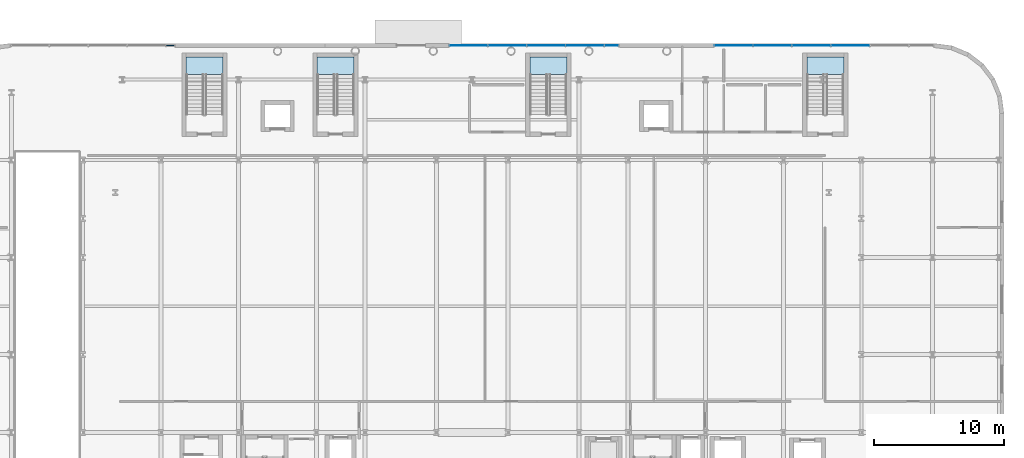
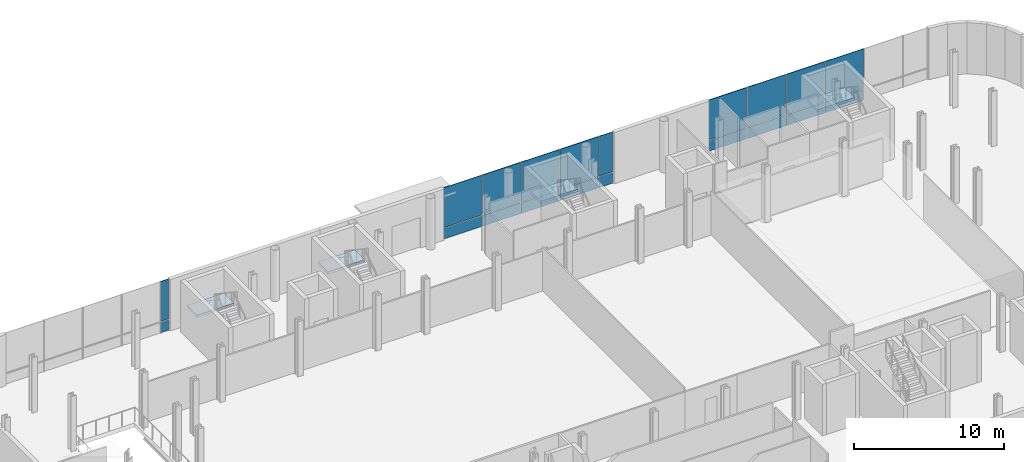
# One storey, part 15 of 28: 20 plates, 4 slabs, 7 elements without a shape of their own.
"""IFC4 building model written with IfcOpenShell, lengths in metres."""

from ifc_helpers import new_model, si_unit, direction, frame, origin, origin_2d, place, context, subcontext, project, spatial, polyline, rectangle, outline, extrude, material, layer, layer_set, type_object, element, aggregate, save


model = new_model("IFC4")

# Units and contexts
model_context = context("Model", 3, precision=1e-05, world=origin(), true_north=direction((0.0, 1.0)))
body_context = subcontext(model_context, "Body", "Model", "MODEL_VIEW")
ifc_project = project(units=[si_unit("LENGTHUNIT", "METRE"), si_unit("AREAUNIT", "SQUARE_METRE"), si_unit("VOLUMEUNIT", "CUBIC_METRE"), si_unit("PLANEANGLEUNIT", "RADIAN"), si_unit("MASSUNIT", "GRAM", prefix="KILO")], contexts=[model_context])

# Site, building, storey
site_placement = place(None, origin())
site = spatial("IfcSite", under=ifc_project, at=site_placement, CompositionType="ELEMENT")
building_placement = place(site_placement, origin())
building = spatial("IfcBuilding", under=site, at=building_placement, Name="Brevholm Reach", CompositionType="ELEMENT")
storey_placement = place(building_placement, origin())
storey = spatial("IfcBuildingStorey", under=building, at=storey_placement, Name="L00", CompositionType="ELEMENT", Elevation=0.0)

# Curtain wall, plates
ifc_material_1 = material(Name="Dark Anodised Aluminium 6063-T6 and Solar-Control Glass", Category="aluminium")
ifc_layer_1 = layer(ifc_material_1, 0.1650390625)
ifc_layer_set_1 = layer_set([ifc_layer_1], Name="Dark Anodised Aluminium 6063-T6 and Solar-Control Glass")
curtain_wall_type = type_object("IfcCurtainWallType", Name="CW-03", PredefinedType="NOTDEFINED", material=ifc_layer_set_1)
curtain_wall_1_placement = place(storey_placement, origin())
curtain_wall_1 = element("IfcCurtainWall", 1, at=curtain_wall_1_placement, inside=storey, type_object=curtain_wall_type, Name="L00 Curtain Wall CW-03", PredefinedType="NOTDEFINED")
ifc_material_2 = material(Name="Triple-Glazed Acoustic School IGU Glass", Category="glass")
ifc_layer_2 = layer(ifc_material_2, 0.0439453125)
ifc_layer_set_2 = layer_set([ifc_layer_2], Name="Triple-Glazed Acoustic School IGU Glass")
plate_type = type_object("IfcPlateType", Name="CWP-ACU-44", PredefinedType="CURTAIN_PANEL", material=ifc_layer_set_2)
plate_1_placement = place(storey_placement, frame((6.732421875, 39.830078125, 0.0), z_axis=(0.0, 0.0, 1.0), x_axis=(1.0, 0.0, 0.0)))
plate_1 = element("IfcPlate", 2, at=plate_1_placement, type_object=plate_type, Name="CP-03 Glazing Panel 5.1", PredefinedType="CURTAIN_PANEL", context=body_context, shape_type="SweptSolid", body=[
    extrude(rectangle(XDim=0.594970703125, YDim=0.0439453125, at=origin_2d()), origin(), (0.0, 0.0, 1.0), 0.864990234375),
])
plate_2_placement = place(storey_placement, frame((6.732421875, 39.830078125, 0.93505859375), z_axis=(0.0, 0.0, 1.0), x_axis=(1.0, 0.0, 0.0)))
plate_2 = element("IfcPlate", 3, at=plate_2_placement, type_object=plate_type, Name="CP-03 Glazing Panel 5.2", PredefinedType="CURTAIN_PANEL", context=body_context, shape_type="SweptSolid", body=[
    extrude(rectangle(XDim=0.594970703125, YDim=0.0439453125, at=origin_2d()), origin(), (0.0, 0.0, 1.0), 3.2451171875),
])
aggregate(curtain_wall_1, [plate_1, plate_2])

curtain_wall_2_placement = place(storey_placement, origin())
curtain_wall_2 = element("IfcCurtainWall", 4, at=curtain_wall_2_placement, inside=storey, type_object=curtain_wall_type, Name="L00 Curtain Wall CW-03", PredefinedType="NOTDEFINED")
plate_3_placement = place(storey_placement, frame((29.717529296875, 39.830078125, 0.0), z_axis=(0.0, 0.0, 1.0), x_axis=(1.0, 0.0, 0.0)))
plate_3 = element("IfcPlate", 5, at=plate_3_placement, type_object=plate_type, Name="CP-03 Glazing Panel 1.1", PredefinedType="CURTAIN_PANEL", context=body_context, shape_type="SweptSolid", body=[
    extrude(rectangle(XDim=2.89501953125, YDim=0.0439453125, at=origin_2d()), origin(), (0.0, 0.0, 1.0), 0.864990234375),
])
plate_4_placement = place(storey_placement, frame((29.717529296875, 39.830078125, 0.93505859375), z_axis=(0.0, 0.0, 1.0), x_axis=(1.0, 0.0, 0.0)))
plate_4 = element("IfcPlate", 6, at=plate_4_placement, type_object=plate_type, Name="CP-03 Glazing Panel 1.2", PredefinedType="CURTAIN_PANEL", context=body_context, shape_type="SweptSolid", body=[
    extrude(rectangle(XDim=2.89501953125, YDim=0.0439453125, at=origin_2d()), origin(), (0.0, 0.0, 1.0), 3.2451171875),
])
plate_5_placement = place(storey_placement, frame((32.699951171875, 39.830078125, 0.0), z_axis=(0.0, 0.0, 1.0), x_axis=(1.0, 0.0, 0.0)))
plate_5 = element("IfcPlate", 7, at=plate_5_placement, type_object=plate_type, Name="CP-03 Glazing Panel 2.1", PredefinedType="CURTAIN_PANEL", context=body_context, shape_type="SweptSolid", body=[
    extrude(rectangle(XDim=2.929931640625, YDim=0.0439453125, at=origin_2d()), origin(), (0.0, 0.0, 1.0), 0.864990234375),
])
plate_6_placement = place(storey_placement, frame((32.699951171875, 39.830078125, 0.93505859375), z_axis=(0.0, 0.0, 1.0), x_axis=(1.0, 0.0, 0.0)))
plate_6 = element("IfcPlate", 8, at=plate_6_placement, type_object=plate_type, Name="CP-03 Glazing Panel 2.2", PredefinedType="CURTAIN_PANEL", context=body_context, shape_type="SweptSolid", body=[
    extrude(rectangle(XDim=2.929931640625, YDim=0.0439453125, at=origin_2d()), origin(), (0.0, 0.0, 1.0), 3.2451171875),
])
plate_7_placement = place(storey_placement, frame((35.699951171875, 39.830078125, 0.0), z_axis=(0.0, 0.0, 1.0), x_axis=(1.0, 0.0, 0.0)))
plate_7 = element("IfcPlate", 9, at=plate_7_placement, type_object=plate_type, Name="CP-03 Glazing Panel 3.1", PredefinedType="CURTAIN_PANEL", context=body_context, shape_type="SweptSolid", body=[
    extrude(rectangle(XDim=2.929931640625, YDim=0.0439453125, at=origin_2d()), origin(), (0.0, 0.0, 1.0), 0.864990234375),
])
plate_8_placement = place(storey_placement, frame((35.699951171875, 39.830078125, 0.93505859375), z_axis=(0.0, 0.0, 1.0), x_axis=(1.0, 0.0, 0.0)))
plate_8 = element("IfcPlate", 10, at=plate_8_placement, type_object=plate_type, Name="CP-03 Glazing Panel 3.2", PredefinedType="CURTAIN_PANEL", context=body_context, shape_type="SweptSolid", body=[
    extrude(rectangle(XDim=2.929931640625, YDim=0.0439453125, at=origin_2d()), origin(), (0.0, 0.0, 1.0), 3.2451171875),
])
plate_9_placement = place(storey_placement, frame((38.699951171875, 39.830078125, 0.0), z_axis=(0.0, 0.0, 1.0), x_axis=(1.0, 0.0, 0.0)))
plate_9 = element("IfcPlate", 11, at=plate_9_placement, type_object=plate_type, Name="CP-03 Glazing Panel 4.1", PredefinedType="CURTAIN_PANEL", context=body_context, shape_type="SweptSolid", body=[
    extrude(rectangle(XDim=2.929931640625, YDim=0.0439453125, at=origin_2d()), origin(), (0.0, 0.0, 1.0), 0.864990234375),
])
plate_10_placement = place(storey_placement, frame((38.699951171875, 39.830078125, 0.93505859375), z_axis=(0.0, 0.0, 1.0), x_axis=(1.0, 0.0, 0.0)))
plate_10 = element("IfcPlate", 12, at=plate_10_placement, type_object=plate_type, Name="CP-03 Glazing Panel 4.2", PredefinedType="CURTAIN_PANEL", context=body_context, shape_type="SweptSolid", body=[
    extrude(rectangle(XDim=2.929931640625, YDim=0.0439453125, at=origin_2d()), origin(), (0.0, 0.0, 1.0), 3.2451171875),
])
plate_11_placement = place(storey_placement, frame((40.757568359375, 39.830078125, 0.0), z_axis=(0.0, 0.0, 1.0), x_axis=(1.0, 0.0, 0.0)))
plate_11 = element("IfcPlate", 13, at=plate_11_placement, type_object=plate_type, Name="CP-03 Glazing Panel 5.1", PredefinedType="CURTAIN_PANEL", context=body_context, shape_type="SweptSolid", body=[
    extrude(rectangle(XDim=1.044921875, YDim=0.0439453125, at=origin_2d()), origin(), (0.0, 0.0, 1.0), 0.864990234375),
])
plate_12_placement = place(storey_placement, frame((40.757568359375, 39.830078125, 0.93505859375), z_axis=(0.0, 0.0, 1.0), x_axis=(1.0, 0.0, 0.0)))
plate_12 = element("IfcPlate", 14, at=plate_12_placement, type_object=plate_type, Name="CP-03 Glazing Panel 5.2", PredefinedType="CURTAIN_PANEL", context=body_context, shape_type="SweptSolid", body=[
    extrude(rectangle(XDim=1.044921875, YDim=0.0439453125, at=origin_2d()), origin(), (0.0, 0.0, 1.0), 3.2451171875),
])
aggregate(curtain_wall_2, [plate_3, plate_4, plate_5, plate_6, plate_7, plate_8, plate_9, plate_10, plate_11, plate_12])

curtain_wall_3_placement = place(storey_placement, origin())
curtain_wall_3 = element("IfcCurtainWall", 15, at=curtain_wall_3_placement, inside=storey, type_object=curtain_wall_type, Name="L00 Curtain Wall CW-03", PredefinedType="NOTDEFINED")
plate_13_placement = place(storey_placement, frame((50.16748046875, 39.830078125, 0.0), z_axis=(0.0, 0.0, 1.0), x_axis=(1.0, 0.0, 0.0)))
plate_13 = element("IfcPlate", 16, at=plate_13_placement, type_object=plate_type, Name="CP-03 Glazing Panel 1.1", PredefinedType="CURTAIN_PANEL", context=body_context, shape_type="SweptSolid", body=[
    extrude(rectangle(XDim=2.89501953125, YDim=0.0439453125, at=origin_2d()), origin(), (0.0, 0.0, 1.0), 0.864990234375),
])
plate_14_placement = place(storey_placement, frame((50.16748046875, 39.830078125, 0.93505859375), z_axis=(0.0, 0.0, 1.0), x_axis=(1.0, 0.0, 0.0)))
plate_14 = element("IfcPlate", 17, at=plate_14_placement, type_object=plate_type, Name="CP-03 Glazing Panel 1.2", PredefinedType="CURTAIN_PANEL", context=body_context, shape_type="SweptSolid", body=[
    extrude(rectangle(XDim=2.89501953125, YDim=0.0439453125, at=origin_2d()), origin(), (0.0, 0.0, 1.0), 3.2451171875),
])
plate_15_placement = place(storey_placement, frame((53.14990234375, 39.830078125, 0.0), z_axis=(0.0, 0.0, 1.0), x_axis=(1.0, 0.0, 0.0)))
plate_15 = element("IfcPlate", 18, at=plate_15_placement, type_object=plate_type, Name="CP-03 Glazing Panel 2.1", PredefinedType="CURTAIN_PANEL", context=body_context, shape_type="SweptSolid", body=[
    extrude(rectangle(XDim=2.929931640625, YDim=0.0439453125, at=origin_2d()), origin(), (0.0, 0.0, 1.0), 0.864990234375),
])
plate_16_placement = place(storey_placement, frame((53.14990234375, 39.830078125, 0.93505859375), z_axis=(0.0, 0.0, 1.0), x_axis=(1.0, 0.0, 0.0)))
plate_16 = element("IfcPlate", 19, at=plate_16_placement, type_object=plate_type, Name="CP-03 Glazing Panel 2.2", PredefinedType="CURTAIN_PANEL", context=body_context, shape_type="SweptSolid", body=[
    extrude(rectangle(XDim=2.929931640625, YDim=0.0439453125, at=origin_2d()), origin(), (0.0, 0.0, 1.0), 3.2451171875),
])
plate_17_placement = place(storey_placement, frame((56.14990234375, 39.830078125, 0.0), z_axis=(0.0, 0.0, 1.0), x_axis=(1.0, 0.0, 0.0)))
plate_17 = element("IfcPlate", 20, at=plate_17_placement, type_object=plate_type, Name="CP-03 Glazing Panel 3.1", PredefinedType="CURTAIN_PANEL", context=body_context, shape_type="SweptSolid", body=[
    extrude(rectangle(XDim=2.929931640625, YDim=0.0439453125, at=origin_2d()), origin(), (0.0, 0.0, 1.0), 0.864990234375),
])
plate_18_placement = place(storey_placement, frame((56.14990234375, 39.830078125, 0.93505859375), z_axis=(0.0, 0.0, 1.0), x_axis=(1.0, 0.0, 0.0)))
plate_18 = element("IfcPlate", 21, at=plate_18_placement, type_object=plate_type, Name="CP-03 Glazing Panel 3.2", PredefinedType="CURTAIN_PANEL", context=body_context, shape_type="SweptSolid", body=[
    extrude(rectangle(XDim=2.929931640625, YDim=0.0439453125, at=origin_2d()), origin(), (0.0, 0.0, 1.0), 3.2451171875),
])
plate_19_placement = place(storey_placement, frame((59.14990234375, 39.830078125, 0.0), z_axis=(0.0, 0.0, 1.0), x_axis=(1.0, 0.0, 0.0)))
plate_19 = element("IfcPlate", 22, at=plate_19_placement, type_object=plate_type, Name="CP-03 Glazing Panel 4.1", PredefinedType="CURTAIN_PANEL", context=body_context, shape_type="SweptSolid", body=[
    extrude(rectangle(XDim=2.929931640625, YDim=0.0439453125, at=origin_2d()), origin(), (0.0, 0.0, 1.0), 0.864990234375),
])
plate_20_placement = place(storey_placement, frame((59.14990234375, 39.830078125, 0.93505859375), z_axis=(0.0, 0.0, 1.0), x_axis=(1.0, 0.0, 0.0)))
plate_20 = element("IfcPlate", 23, at=plate_20_placement, type_object=plate_type, Name="CP-03 Glazing Panel 4.2", PredefinedType="CURTAIN_PANEL", context=body_context, shape_type="SweptSolid", body=[
    extrude(rectangle(XDim=2.929931640625, YDim=0.0439453125, at=origin_2d()), origin(), (0.0, 0.0, 1.0), 3.2451171875),
])
aggregate(curtain_wall_3, [plate_13, plate_14, plate_15, plate_16, plate_17, plate_18, plate_19, plate_20])

# Stair, slab
ifc_material_3 = material(Name="Precast Concrete C40/50", Category="concrete")
stair_type = type_object("IfcStairType", Name="STR-ESC-1250", PredefinedType="DOUBLE_RETURN_STAIR", material=ifc_material_3)
stair_1_placement = place(storey_placement, origin())
stair_1 = element("IfcStair", 24, at=stair_1_placement, inside=storey, type_object=stair_type, Name="L00 ST-S1", PredefinedType="DOUBLE_RETURN_STAIR")
ifc_material_4 = material(Name="Concrete C40/50", Category="concrete")
ifc_layer_3 = layer(ifc_material_4, 0.199951171875)
ifc_layer_set_3 = layer_set([ifc_layer_3], Name="Concrete C40/50")
slab_type = type_object("IfcSlabType", Name="SLB-LND-200", PredefinedType="LANDING", material=ifc_layer_set_3)
slab_1_placement = place(storey_placement, frame((0.0, 0.0, 2.050048828125)))
slab_1 = element("IfcSlab", 25, at=slab_1_placement, type_object=slab_type, Name="ST-S1 landing 1", PredefinedType="LANDING", context=body_context, shape_type="SweptSolid", body=[
    extrude(outline(polyline([(10.800048828125, 37.580078125), (10.800048828125, 38.929931640625), (7.949951171875, 38.929931640625), (7.949951171875, 37.580078125), (10.800048828125, 37.580078125)])), origin(), (0.0, 0.0, 1.0), 0.199951171875),
])
aggregate(stair_1, [slab_1])

stair_2_placement = place(storey_placement, origin())
stair_2 = element("IfcStair", 26, at=stair_2_placement, inside=storey, type_object=stair_type, Name="L00 ST-S2", PredefinedType="DOUBLE_RETURN_STAIR")
slab_2_placement = place(storey_placement, frame((0.0, 0.0, 2.050048828125)))
slab_2 = element("IfcSlab", 27, at=slab_2_placement, type_object=slab_type, Name="ST-S2 landing 1", PredefinedType="LANDING", context=body_context, shape_type="SweptSolid", body=[
    extrude(outline(polyline([(20.89990234375, 37.580078125), (20.89990234375, 38.929931640625), (18.050048828125, 38.929931640625), (18.050048828125, 37.580078125), (20.89990234375, 37.580078125)])), origin(), (0.0, 0.0, 1.0), 0.199951171875),
])
aggregate(stair_2, [slab_2])

stair_3_placement = place(storey_placement, origin())
stair_3 = element("IfcStair", 28, at=stair_3_placement, inside=storey, type_object=stair_type, Name="L00 ST-S3", PredefinedType="DOUBLE_RETURN_STAIR")
slab_3_placement = place(storey_placement, frame((0.0, 0.0, 2.050048828125)))
slab_3 = element("IfcSlab", 29, at=slab_3_placement, type_object=slab_type, Name="ST-S3 landing 1", PredefinedType="LANDING", context=body_context, shape_type="SweptSolid", body=[
    extrude(outline(polyline([(37.300048828125, 37.580078125), (37.300048828125, 38.929931640625), (34.449951171875, 38.929931640625), (34.449951171875, 37.580078125), (37.300048828125, 37.580078125)])), origin(), (0.0, 0.0, 1.0), 0.199951171875),
])
aggregate(stair_3, [slab_3])

stair_4_placement = place(storey_placement, origin())
stair_4 = element("IfcStair", 30, at=stair_4_placement, inside=storey, type_object=stair_type, Name="L00 ST-S4", PredefinedType="DOUBLE_RETURN_STAIR")
slab_4_placement = place(storey_placement, frame((0.0, 0.0, 2.050048828125)))
slab_4 = element("IfcSlab", 31, at=slab_4_placement, type_object=slab_type, Name="ST-S4 landing 1", PredefinedType="LANDING", context=body_context, shape_type="SweptSolid", body=[
    extrude(outline(polyline([(58.64990234375, 37.580078125), (58.64990234375, 38.929931640625), (55.800048828125, 38.929931640625), (55.800048828125, 37.580078125), (58.64990234375, 37.580078125)])), origin(), (0.0, 0.0, 1.0), 0.199951171875),
])
aggregate(stair_4, [slab_4])

save(model, "model.ifc")
